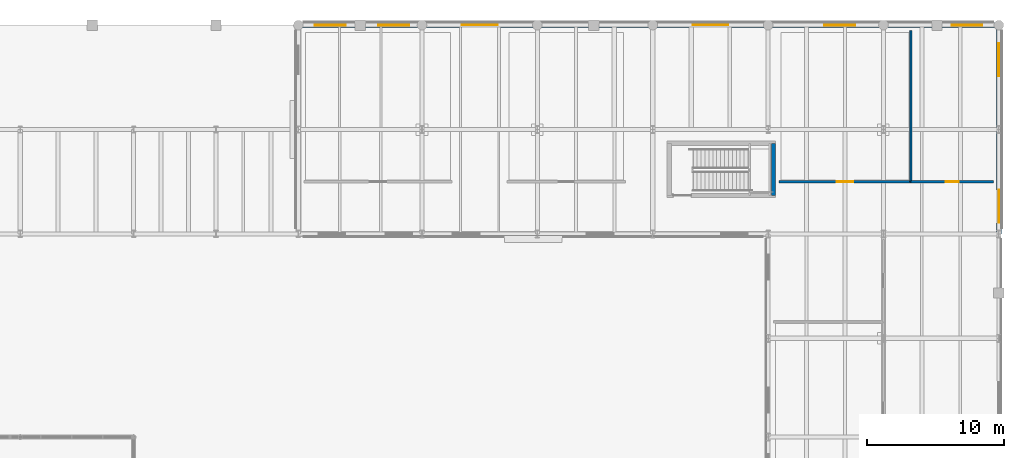
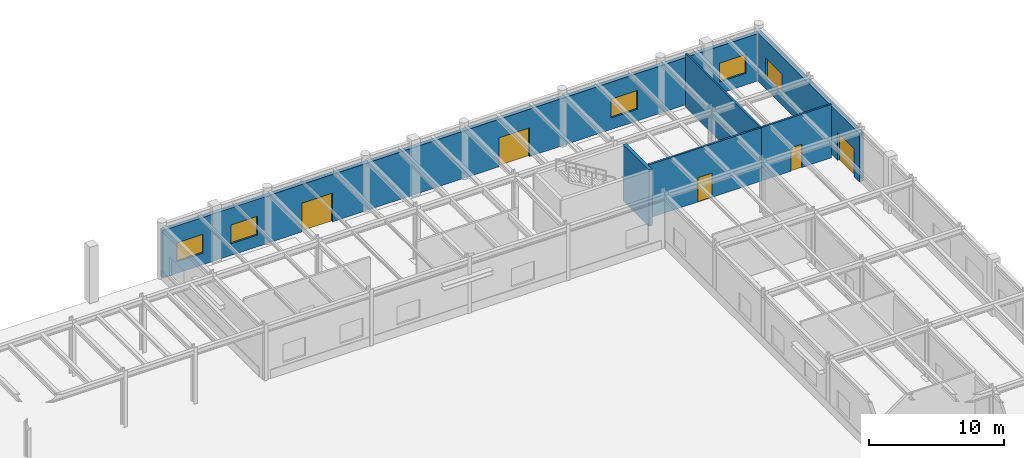
# One storey, part 47 of 64: 6 walls, 5 doors, 5 windows, 10 openings.
"""IFC4 building model written with IfcOpenShell, lengths in metres."""

from ifc_helpers import new_model, si_unit, direction, frame, frame_2d, origin, place, context, subcontext, project, spatial, rectangle, extrude, material, layer, layer_set, type_object, element, fill, save


model = new_model("IFC4")

# Units and contexts
model_context = context("Model", 3, precision=1e-05, world=origin(), true_north=direction((0.0, 1.0)))
body_context = subcontext(model_context, "Body", "Model", "MODEL_VIEW")
ifc_project = project(units=[si_unit("LENGTHUNIT", "METRE"), si_unit("AREAUNIT", "SQUARE_METRE"), si_unit("VOLUMEUNIT", "CUBIC_METRE"), si_unit("PLANEANGLEUNIT", "RADIAN"), si_unit("MASSUNIT", "GRAM", prefix="KILO")], contexts=[model_context])

# Site, building, storey
site_placement = place(None, origin())
site = spatial("IfcSite", under=ifc_project, at=site_placement, CompositionType="ELEMENT")
building_placement = place(site_placement, origin())
building = spatial("IfcBuilding", under=site, at=building_placement, Name="Montealbar Specialist Clinic", CompositionType="ELEMENT")
storey_placement = place(building_placement, origin())
storey = spatial("IfcBuildingStorey", under=building, at=storey_placement, Name="L00", CompositionType="ELEMENT", Elevation=0.0)

# Wall
ifc_material_1 = material(Name="Concrete C35/45", Category="concrete")
ifc_layer_1 = layer(ifc_material_1, 0.300048828125, Name="Concrete C35/45", Category="concrete")
ifc_layer_set_1 = layer_set([ifc_layer_1], Name="Concrete C35/45")
wall_type_1 = type_object("IfcWallType", Name="WL-CORE-300", PredefinedType="SHEAR", material=ifc_layer_set_1)
wall_1_placement = place(storey_placement, frame((145.60009765625, 98.60009765625, 0.0), z_axis=(0.0, 0.0, 1.0), x_axis=(0.0, 1.0, 0.0)))
element("IfcWall", 1, at=wall_1_placement, inside=storey, type_object=wall_type_1, Name="Core C7 Shear Wall L00 E", PredefinedType="SHEAR", context=body_context, shape_type="SweptSolid", body=[
    extrude(rectangle(XDim=3.7998046875, YDim=0.300048828125, at=frame_2d((1.89990234375, 0.0))), origin(), (0.0, 0.0, 1.0), 5.10009765625),
])

# Wall, openings, doors, windows
ifc_material_2 = material(Name="Guadarrama granite ashlar", Category="masonry")
ifc_layer_2 = layer(ifc_material_2, 0.35009765625, Name="Guadarrama granite ashlar", Category="masonry")
ifc_layer_set_2 = layer_set([ifc_layer_2], Name="Guadarrama granite ashlar")
wall_type_2 = type_object("IfcWallType", Name="WL-EXT-GRANITE-350", PredefinedType="SOLIDWALL", material=ifc_layer_set_2)
wall_2_placement = place(storey_placement, frame((111.0, 111.0, 0.0), z_axis=(0.0, 0.0, 1.0), x_axis=(1.0, 0.0, 0.0)))
wall_2 = element("IfcWall", 2, at=wall_2_placement, inside=storey, type_object=wall_type_2, Name="Exterior Facade Wall EW-L00-008", PredefinedType="SOLIDWALL", context=body_context, shape_type="SweptSolid", body=[
    extrude(rectangle(XDim=51.0, YDim=0.35009765625, at=frame_2d((25.5, 0.0))), origin(), (0.0, 0.0, 1.0), 4.280029296875),
])
opening_1_placement = place(wall_2_placement, frame((11.89990234375, 0.0, 0.0)))
opening_1 = element("IfcOpeningElement", 3, at=opening_1_placement, cuts=wall_2, Name="Opening ED-26", PredefinedType="OPENING", context=body_context, shape_type="SweptSolid", body=[
    extrude(rectangle(XDim=2.60009765625, YDim=2.60009765625, at=frame_2d((1.300048828125, 1.300048828125))), frame((0.0, 0.18505859375, 0.0), z_axis=(0.0, -1.0, 0.0), x_axis=(1.0, 0.0, 0.0)), (0.0, 0.0, 1.0), 0.3701171875),
])
opening_2_placement = place(wall_2_placement, frame((28.699951171875, 0.0, 0.0)))
opening_2 = element("IfcOpeningElement", 4, at=opening_2_placement, cuts=wall_2, Name="Opening ED-26", PredefinedType="OPENING", context=body_context, shape_type="SweptSolid", body=[
    extrude(rectangle(XDim=2.60009765625, YDim=2.60009765625, at=frame_2d((1.300048828125, 1.300048828125))), frame((0.0, 0.18505859375, 0.0), z_axis=(0.0, -1.0, 0.0), x_axis=(1.0, 0.0, 0.0)), (0.0, 0.0, 1.0), 0.3701171875),
])
opening_3_placement = place(wall_2_placement, frame((1.193115234375, 0.0, 1.050048828125)))
opening_3 = element("IfcOpeningElement", 5, at=opening_3_placement, cuts=wall_2, Name="Opening WN-08", PredefinedType="OPENING", context=body_context, shape_type="SweptSolid", body=[
    extrude(rectangle(XDim=2.25, YDim=1.699951171875, at=frame_2d((1.125, 0.85009765625))), frame((0.0, 0.18505859375, 0.0), z_axis=(0.0, -1.0, 0.0), x_axis=(1.0, 0.0, 0.0)), (0.0, 0.0, 1.0), 0.3701171875),
])
opening_4_placement = place(wall_2_placement, frame((5.830078125, 0.0, 1.050048828125)))
opening_4 = element("IfcOpeningElement", 6, at=opening_4_placement, cuts=wall_2, Name="Opening WN-08", PredefinedType="OPENING", context=body_context, shape_type="SweptSolid", body=[
    extrude(rectangle(XDim=2.25, YDim=1.699951171875, at=frame_2d((1.125, 0.85009765625))), frame((0.0, 0.18505859375, 0.0), z_axis=(0.0, -1.0, 0.0), x_axis=(1.0, 0.0, 0.0)), (0.0, 0.0, 1.0), 0.3701171875),
])
opening_5_placement = place(wall_2_placement, frame((38.283935546875, 0.0, 1.050048828125)))
opening_5 = element("IfcOpeningElement", 7, at=opening_5_placement, cuts=wall_2, Name="Opening WN-08", PredefinedType="OPENING", context=body_context, shape_type="SweptSolid", body=[
    extrude(rectangle(XDim=2.25, YDim=1.699951171875, at=frame_2d((1.125, 0.85009765625))), frame((0.0, 0.18505859375, 0.0), z_axis=(0.0, -1.0, 0.0), x_axis=(1.0, 0.0, 0.0)), (0.0, 0.0, 1.0), 0.3701171875),
])
opening_6_placement = place(wall_2_placement, frame((47.556884765625, 0.0, 1.050048828125)))
opening_6 = element("IfcOpeningElement", 8, at=opening_6_placement, cuts=wall_2, Name="Opening WN-08", PredefinedType="OPENING", context=body_context, shape_type="SweptSolid", body=[
    extrude(rectangle(XDim=2.25, YDim=1.699951171875, at=frame_2d((1.125, 0.85009765625))), frame((0.0, 0.18505859375, 0.0), z_axis=(0.0, -1.0, 0.0), x_axis=(1.0, 0.0, 0.0)), (0.0, 0.0, 1.0), 0.3701171875),
])
ifc_material_3 = material(Name="Powder-coated aluminium", Category="aluminium")
door_type_1 = type_object("IfcDoorType", Name="DR-PLAZA-W2600", OperationType="DOUBLE_DOOR_SINGLE_SWING", PredefinedType="DOOR", material=ifc_material_3)
door_1_placement = place(opening_1_placement, origin())
door_1 = element("IfcDoor", 9, at=door_1_placement, inside=storey, type_object=door_type_1, Name="North-East Cardiology Entrance Portal EX-06A", OperationType="DOUBLE_DOOR_SINGLE_SWING", OverallHeight=2.60009765625, OverallWidth=2.60009765625, PredefinedType="DOOR", context=body_context, shape_type="SweptSolid", body=[
    extrude(rectangle(XDim=2.60009765625, YDim=2.60009765625, at=frame_2d((1.300048828125, 1.300048828125))), frame((0.0, 0.02490234375, 0.0), z_axis=(0.0, -1.0, 0.0), x_axis=(1.0, 0.0, 0.0)), (0.0, 0.0, 1.0), 0.050048828125),
])
fill(opening_1, door_1)
door_2_placement = place(opening_2_placement, origin())
door_2 = element("IfcDoor", 10, at=door_2_placement, inside=storey, type_object=door_type_1, Name="North-East Core C7 Final Exit Door EX-06B", OperationType="DOUBLE_DOOR_SINGLE_SWING", OverallHeight=2.60009765625, OverallWidth=2.60009765625, PredefinedType="DOOR", context=body_context, shape_type="SweptSolid", body=[
    extrude(rectangle(XDim=2.60009765625, YDim=2.60009765625, at=frame_2d((1.300048828125, 1.300048828125))), frame((0.0, 0.02490234375, 0.0), z_axis=(0.0, -1.0, 0.0), x_axis=(1.0, 0.0, 0.0)), (0.0, 0.0, 1.0), 0.050048828125),
])
fill(opening_2, door_2)
ifc_material_4 = material(Name="Low-E double glazing", Category="glass")
window_type_1 = type_object("IfcWindowType", Name="WIN-WN-08", PartitioningType="SINGLE_PANEL", PredefinedType="WINDOW", material=ifc_material_4)
window_1_placement = place(opening_3_placement, origin())
window_1 = element("IfcWindow", 11, at=window_1_placement, inside=storey, type_object=window_type_1, Name="Clinical Facade Window WN-08 L00-0028", OverallHeight=1.699951171875, OverallWidth=2.25, PartitioningType="SINGLE_PANEL", PredefinedType="WINDOW", context=body_context, shape_type="SweptSolid", body=[
    extrude(rectangle(XDim=2.25, YDim=1.699951171875, at=frame_2d((1.125, 0.85009765625))), frame((0.0, 0.030029296875, 0.0), z_axis=(0.0, -1.0, 0.0), x_axis=(1.0, 0.0, 0.0)), (0.0, 0.0, 1.0), 0.06005859375),
])
fill(opening_3, window_1)
window_2_placement = place(opening_4_placement, origin())
window_2 = element("IfcWindow", 12, at=window_2_placement, inside=storey, type_object=window_type_1, Name="Clinical Facade Window WN-08 L00-0029", OverallHeight=1.699951171875, OverallWidth=2.25, PartitioningType="SINGLE_PANEL", PredefinedType="WINDOW", context=body_context, shape_type="SweptSolid", body=[
    extrude(rectangle(XDim=2.25, YDim=1.699951171875, at=frame_2d((1.125, 0.85009765625))), frame((0.0, 0.030029296875, 0.0), z_axis=(0.0, -1.0, 0.0), x_axis=(1.0, 0.0, 0.0)), (0.0, 0.0, 1.0), 0.06005859375),
])
fill(opening_4, window_2)
window_3_placement = place(opening_5_placement, origin())
window_3 = element("IfcWindow", 13, at=window_3_placement, inside=storey, type_object=window_type_1, Name="Clinical Facade Window WN-08 L00-0030", OverallHeight=1.699951171875, OverallWidth=2.25, PartitioningType="SINGLE_PANEL", PredefinedType="WINDOW", context=body_context, shape_type="SweptSolid", body=[
    extrude(rectangle(XDim=2.25, YDim=1.699951171875, at=frame_2d((1.125, 0.85009765625))), frame((0.0, 0.030029296875, 0.0), z_axis=(0.0, -1.0, 0.0), x_axis=(1.0, 0.0, 0.0)), (0.0, 0.0, 1.0), 0.06005859375),
])
fill(opening_5, window_3)
window_4_placement = place(opening_6_placement, origin())
window_4 = element("IfcWindow", 14, at=window_4_placement, inside=storey, type_object=window_type_1, Name="Clinical Facade Window WN-08 L00-0031", OverallHeight=1.699951171875, OverallWidth=2.25, PartitioningType="SINGLE_PANEL", PredefinedType="WINDOW", context=body_context, shape_type="SweptSolid", body=[
    extrude(rectangle(XDim=2.25, YDim=1.699951171875, at=frame_2d((1.125, 0.85009765625))), frame((0.0, 0.030029296875, 0.0), z_axis=(0.0, -1.0, 0.0), x_axis=(1.0, 0.0, 0.0)), (0.0, 0.0, 1.0), 0.06005859375),
])
fill(opening_6, window_4)

# Wall, openings, door, window
wall_3_placement = place(storey_placement, frame((162.0, 111.0, 0.0), z_axis=(0.0, 0.0, 1.0), x_axis=(0.0, -1.0, 0.0)))
wall_3 = element("IfcWall", 15, at=wall_3_placement, inside=storey, type_object=wall_type_2, Name="Exterior Facade Wall EW-L00-009", PredefinedType="SOLIDWALL", context=body_context, shape_type="SweptSolid", body=[
    extrude(rectangle(XDim=15.199951171875, YDim=0.35009765625, at=frame_2d((7.60009765625, 0.0))), origin(), (0.0, 0.0, 1.0), 4.360107421875),
])
opening_7_placement = place(wall_3_placement, frame((12.0, 0.0, 0.0)))
opening_7 = element("IfcOpeningElement", 16, at=opening_7_placement, cuts=wall_3, Name="Opening ED-24", PredefinedType="OPENING", context=body_context, shape_type="SweptSolid", body=[
    extrude(rectangle(XDim=2.39990234375, YDim=2.5, at=frame_2d((1.199951171875, 1.25))), frame((0.0, 0.18505859375, 0.0), z_axis=(0.0, -1.0, 0.0), x_axis=(1.0, 0.0, 0.0)), (0.0, 0.0, 1.0), 0.3701171875),
])
opening_8_placement = place(wall_3_placement, frame((1.3330078125, 0.0, 1.050048828125)))
opening_8 = element("IfcOpeningElement", 17, at=opening_8_placement, cuts=wall_3, Name="Opening WN-09", PredefinedType="OPENING", context=body_context, shape_type="SweptSolid", body=[
    extrude(rectangle(XDim=2.39990234375, YDim=1.75, at=frame_2d((1.199951171875, 0.875))), frame((0.0, 0.18505859375, 0.0), z_axis=(0.0, -1.0, 0.0), x_axis=(1.0, 0.0, 0.0)), (0.0, 0.0, 1.0), 0.3701171875),
])
door_type_2 = type_object("IfcDoorType", Name="DR-PLAZA-W2400", OperationType="DOUBLE_DOOR_SINGLE_SWING", PredefinedType="DOOR", material=ifc_material_3)
door_3_placement = place(opening_7_placement, origin())
door_3 = element("IfcDoor", 18, at=door_3_placement, inside=storey, type_object=door_type_2, Name="East Cloister Wing Final Exit Door EX-08", OperationType="DOUBLE_DOOR_SINGLE_SWING", OverallHeight=2.5, OverallWidth=2.39990234375, PredefinedType="DOOR", context=body_context, shape_type="SweptSolid", body=[
    extrude(rectangle(XDim=2.39990234375, YDim=2.5, at=frame_2d((1.199951171875, 1.25))), frame((0.0, 0.02490234375, 0.0), z_axis=(0.0, -1.0, 0.0), x_axis=(1.0, 0.0, 0.0)), (0.0, 0.0, 1.0), 0.050048828125),
])
fill(opening_7, door_3)
window_type_2 = type_object("IfcWindowType", Name="WIN-WN-09", PartitioningType="SINGLE_PANEL", PredefinedType="WINDOW", material=ifc_material_4)
window_5_placement = place(opening_8_placement, origin())
window_5 = element("IfcWindow", 19, at=window_5_placement, inside=storey, type_object=window_type_2, Name="Clinical Facade Window WN-09 L00-0032", OverallHeight=1.75, OverallWidth=2.39990234375, PartitioningType="SINGLE_PANEL", PredefinedType="WINDOW", context=body_context, shape_type="SweptSolid", body=[
    extrude(rectangle(XDim=2.39990234375, YDim=1.75, at=frame_2d((1.199951171875, 0.875))), frame((0.0, 0.030029296875, 0.0), z_axis=(0.0, -1.0, 0.0), x_axis=(1.0, 0.0, 0.0)), (0.0, 0.0, 1.0), 0.06005859375),
])
fill(opening_8, window_5)

# Wall
ifc_material_5 = material(Name="Gypsum acoustic partition", Category="gypsum")
ifc_layer_3 = layer(ifc_material_5, 0.139892578125, Name="Gypsum acoustic partition", Category="gypsum")
ifc_layer_set_3 = layer_set([ifc_layer_3], Name="Gypsum acoustic partition")
wall_type_3 = type_object("IfcWallType", Name="WL-PART-ACOUSTIC-140", PredefinedType="PARTITIONING", material=ifc_layer_set_3)
wall_4_placement = place(storey_placement, frame((155.60009765625, 99.60009765625, 0.0), z_axis=(0.0, 0.0, 1.0), x_axis=(0.0, 1.0, 0.0)))
element("IfcWall", 20, at=wall_4_placement, inside=storey, type_object=wall_type_3, Name="Clinical Partition PART-L00-0036", PredefinedType="PARTITIONING", context=body_context, shape_type="SweptSolid", body=[
    extrude(rectangle(XDim=11.0, YDim=0.139892578125, at=frame_2d((5.5, 0.0))), origin(), (0.0, 0.0, 1.0), 4.820068359375),
])

# Wall, opening, door
ifc_layer_4 = layer(ifc_material_5, 0.159912109375, Name="Gypsum acoustic partition", Category="gypsum")
ifc_layer_set_4 = layer_set([ifc_layer_4], Name="Gypsum acoustic partition")
wall_type_4 = type_object("IfcWallType", Name="WL-PART-CLINIC-160", PredefinedType="PARTITIONING", material=ifc_layer_set_4)
wall_5_placement = place(storey_placement, frame((146.0, 99.60009765625, 0.0), z_axis=(0.0, 0.0, 1.0), x_axis=(1.0, 0.0, 0.0)))
wall_5 = element("IfcWall", 21, at=wall_5_placement, inside=storey, type_object=wall_type_4, Name="Clinical Partition PART-L00-0035", PredefinedType="PARTITIONING", context=body_context, shape_type="SweptSolid", body=[
    extrude(rectangle(XDim=9.60009765625, YDim=0.159912109375, at=frame_2d((4.800048828125, 0.0))), origin(), (0.0, 0.0, 1.0), 4.820068359375),
])
opening_9_placement = place(wall_5_placement, frame((4.199951171875, 0.0, 0.0)))
opening_9 = element("IfcOpeningElement", 22, at=opening_9_placement, cuts=wall_5, Name="Opening ID-120", PredefinedType="OPENING", context=body_context, shape_type="SweptSolid", body=[
    extrude(rectangle(XDim=1.199951171875, YDim=2.199951171875, at=frame_2d((0.60009765625, 1.10009765625))), frame((0.0, 0.08984375, 0.0), z_axis=(0.0, -1.0, 0.0), x_axis=(1.0, 0.0, 0.0)), (0.0, 0.0, 1.0), 0.179931640625),
])
ifc_material_6 = material(Name="Acoustic timber leaf", Category="wood")
door_type_3 = type_object("IfcDoorType", Name="DR-CLIN-W1200", OperationType="NOTDEFINED", PredefinedType="DOOR", material=ifc_material_6)
door_4_placement = place(opening_9_placement, frame((1.199951171875, 0.0, 0.0), z_axis=(0.0, 0.0, 1.0), x_axis=(-1.0, 0.0, 0.0)))
door_4 = element("IfcDoor", 23, at=door_4_placement, inside=storey, type_object=door_type_3, Name="Clinical Room Door IDR-L00-0024", OperationType="SINGLE_SWING_RIGHT", OverallHeight=2.199951171875, OverallWidth=1.199951171875, PredefinedType="DOOR", context=body_context, shape_type="SweptSolid", body=[
    extrude(rectangle(XDim=1.199951171875, YDim=2.199951171875, at=frame_2d((0.60009765625, 1.10009765625))), frame((0.0, 0.02490234375, 0.0), z_axis=(0.0, -1.0, 0.0), x_axis=(1.0, 0.0, 0.0)), (0.0, 0.0, 1.0), 0.050048828125),
])
fill(opening_9, door_4)

wall_6_placement = place(storey_placement, frame((155.60009765625, 99.60009765625, 0.0), z_axis=(0.0, 0.0, 1.0), x_axis=(1.0, 0.0, 0.0)))
wall_6 = element("IfcWall", 24, at=wall_6_placement, inside=storey, type_object=wall_type_4, Name="Clinical Partition PART-L00-0037", PredefinedType="PARTITIONING", context=body_context, shape_type="SweptSolid", body=[
    extrude(rectangle(XDim=6.0, YDim=0.159912109375, at=frame_2d((3.0, 0.0))), origin(), (0.0, 0.0, 1.0), 4.820068359375),
])
opening_10_placement = place(wall_6_placement, frame((2.52490234375, 0.0, 0.0)))
opening_10 = element("IfcOpeningElement", 25, at=opening_10_placement, cuts=wall_6, Name="Opening ID-095", PredefinedType="OPENING", context=body_context, shape_type="SweptSolid", body=[
    extrude(rectangle(XDim=0.949951171875, YDim=2.10009765625, at=frame_2d((0.47509765625, 1.050048828125))), frame((0.0, 0.08984375, 0.0), z_axis=(0.0, -1.0, 0.0), x_axis=(1.0, 0.0, 0.0)), (0.0, 0.0, 1.0), 0.179931640625),
])
door_type_4 = type_object("IfcDoorType", Name="DR-WC-W0950", OperationType="NOTDEFINED", PredefinedType="DOOR", material=ifc_material_6)
door_5_placement = place(opening_10_placement, frame((0.949951171875, 0.0, 0.0), z_axis=(0.0, 0.0, 1.0), x_axis=(-1.0, 0.0, 0.0)))
door_5 = element("IfcDoor", 26, at=door_5_placement, inside=storey, type_object=door_type_4, Name="Clinical Room Door IDR-L00-0025", OperationType="SINGLE_SWING_LEFT", OverallHeight=2.10009765625, OverallWidth=0.949951171875, PredefinedType="DOOR", context=body_context, shape_type="SweptSolid", body=[
    extrude(rectangle(XDim=0.949951171875, YDim=2.10009765625, at=frame_2d((0.47509765625, 1.050048828125))), frame((0.0, 0.02490234375, 0.0), z_axis=(0.0, -1.0, 0.0), x_axis=(1.0, 0.0, 0.0)), (0.0, 0.0, 1.0), 0.050048828125),
])
fill(opening_10, door_5)

save(model, "model.ifc")
